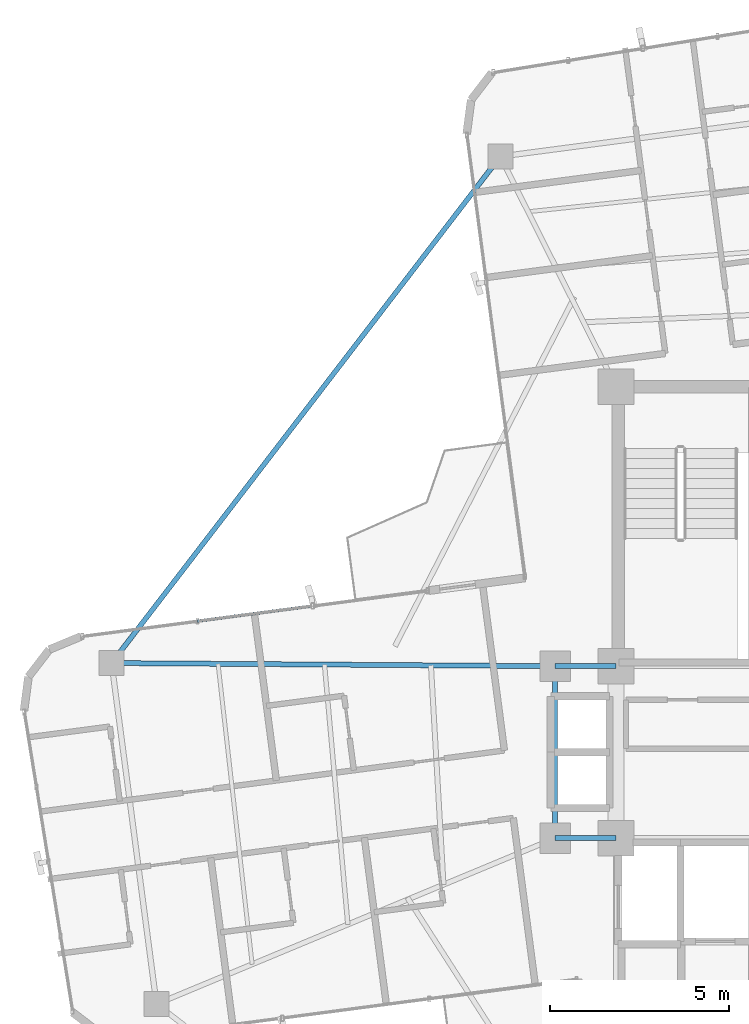
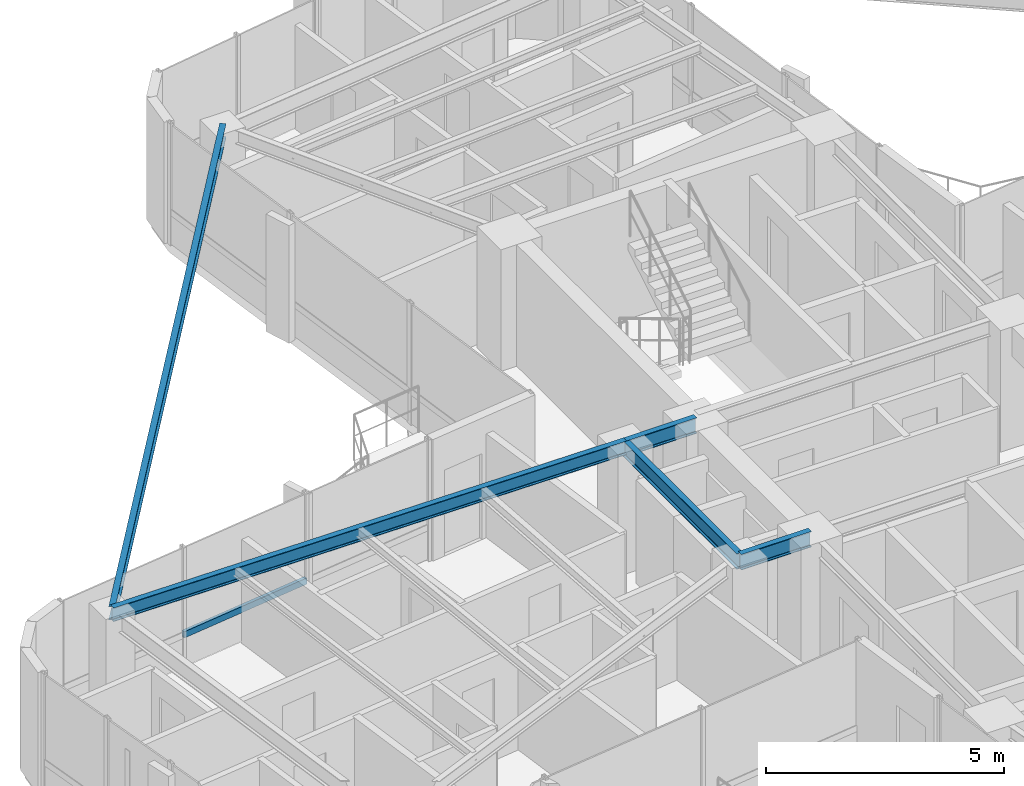
# One storey, part 7 of 22: 5 beams, 1 member, 1 element without a shape of its own.
"""IFC4 building model written with IfcOpenShell, lengths in metres."""

from ifc_helpers import new_model, si_unit, direction, frame, origin, origin_2d, place, context, subcontext, project, spatial, hollow_rectangle, i_section, extrude, source, transform, mapped, material, material_profile, profile_set, type_object, element, aggregate, save


model = new_model("IFC4")

# Units and contexts
model_context = context("Model", 3, precision=1e-05, world=origin(), true_north=direction((0.0, 1.0)))
body_context = subcontext(model_context, "Body", "Model", "MODEL_VIEW")
ifc_project = project(units=[si_unit("LENGTHUNIT", "METRE"), si_unit("AREAUNIT", "SQUARE_METRE"), si_unit("VOLUMEUNIT", "CUBIC_METRE"), si_unit("PLANEANGLEUNIT", "RADIAN"), si_unit("MASSUNIT", "GRAM", prefix="KILO")], contexts=[model_context])

# Site, building, storey
site_placement = place(None, origin())
site = spatial("IfcSite", under=ifc_project, at=site_placement, CompositionType="ELEMENT")
building_placement = place(site_placement, origin())
building = spatial("IfcBuilding", under=site, at=building_placement, Name="Sahyath Konkavel Grand Hotel", CompositionType="ELEMENT")
storey_placement = place(building_placement, frame((0.0, 0.0, 206.5)))
storey = spatial("IfcBuildingStorey", under=building, at=storey_placement, Name="L57", CompositionType="ELEMENT", Elevation=206.5)

# Beams
ifc_material_1 = material(Name="Steel E350", Category="steel")
ifc_material_profile_1 = material_profile(ifc_material_1, i_section(OverallWidth=0.139892578125, OverallDepth=0.39990234375, WebThickness=0.0087890625, FlangeThickness=0.01611328125, FilletRadius=0.013916015625, at=origin_2d()), Name="ISMB 400")
ifc_profile_set_1 = profile_set([ifc_material_profile_1], Name="Steel E350")
beam_type_1 = type_object("IfcBeamType", Name="BM-ISMB400", PredefinedType="BEAM", material=ifc_profile_set_1)
shared_shape_1 = source(origin(), body_context, "Body", "SweptSolid", [
    extrude(i_section(OverallWidth=0.139892578125, OverallDepth=0.39990234375, WebThickness=0.0087890625, FlangeThickness=0.01611328125, FilletRadius=0.013916015625, at=origin_2d()), origin(), (0.0, 0.0, 1.0), 1.699951171875),
])
for number, where, z_axis, x_axis, name in (
    (1, (-5.5, 2.39990234375, 2.909912109375), (1.0, 0.0, 0.0), (0.0, 1.0, 0.0), "str:bm:L57:HB-NW"),
    (2, (-5.5, -2.39990234375, 2.909912109375), (1.0, 0.0, 0.0), (0.0, 1.0, 0.0), "str:bm:L57:HB-SW"),
):
    element("IfcBeam", number, at=place(storey_placement, frame(where, z_axis=z_axis, x_axis=x_axis)), inside=storey, type_object=beam_type_1, Name=name, PredefinedType="BEAM", context=body_context, shape_type="MappedRepresentation", body=[
        mapped(shared_shape_1, transform((0.0, 0.0, 0.0), scale=1.0)),
    ])
shared_shape_2 = source(origin(), body_context, "Body", "SweptSolid", [
    extrude(i_section(OverallWidth=0.139892578125, OverallDepth=0.39990234375, WebThickness=0.0087890625, FlangeThickness=0.01611328125, FilletRadius=0.013916015625, at=origin_2d()), origin(), (0.0, 0.0, 1.0), 4.7998046875),
])
beam_1_placement = place(storey_placement, frame((-5.5, -2.39990234375, 2.909912109375), z_axis=(0.0, 1.0, 0.0), x_axis=(-1.0, 0.0, 0.0)))
element("IfcBeam", 3, at=beam_1_placement, inside=storey, type_object=beam_type_1, Name="str:bm:L57:HB-W", PredefinedType="BEAM", context=body_context, shape_type="MappedRepresentation", body=[
    mapped(shared_shape_2, transform((0.0, 0.0, 0.0), scale=1.0)),
])
ifc_material_profile_2 = material_profile(ifc_material_1, i_section(OverallWidth=0.139892578125, OverallDepth=0.35009765625, WebThickness=0.008056640625, FlangeThickness=0.01416015625, FilletRadius=0.013916015625, at=origin_2d()), Name="ISMB 350")
ifc_profile_set_2 = profile_set([ifc_material_profile_2], Name="Steel E350")
beam_type_2 = type_object("IfcBeamType", Name="BM-ISMB350", PredefinedType="BEAM", material=ifc_profile_set_2)
shared_shape_3 = source(origin(), body_context, "Body", "SweptSolid", [
    extrude(i_section(OverallWidth=0.139892578125, OverallDepth=0.35009765625, WebThickness=0.008056640625, FlangeThickness=0.01416015625, FilletRadius=0.013916015625, at=origin_2d()), origin(), (0.0, 0.0, 1.0), 12.3779296875),
])
beam_2_placement = place(storey_placement, frame((-5.5, 2.39990234375, 2.93505859375), z_axis=(-0.999974790757, 0.007100552766, 0.0), x_axis=(-0.007100552766, -0.999974790757, 0.0)))
element("IfcBeam", 4, at=beam_2_placement, inside=storey, type_object=beam_type_2, Name="L57 Cruciform Radial Girder WA", PredefinedType="BEAM", context=body_context, shape_type="MappedRepresentation", body=[
    mapped(shared_shape_3, transform((0.0, 0.0, 0.0), scale=1.0)),
])
shared_shape_4 = source(origin(), body_context, "Body", "SweptSolid", [
    extrude(i_section(OverallWidth=0.139892578125, OverallDepth=0.35009765625, WebThickness=0.008056640625, FlangeThickness=0.01416015625, FilletRadius=0.013916015625, at=origin_2d()), origin(), (0.0, 0.0, 1.0), 17.819091796875),
])
beam_3_placement = place(storey_placement, frame((-7.030029296875, 16.62451171875, 2.93505859375), z_axis=(-0.608767449027, -0.793348720932, 0.0), x_axis=(0.793348720932, -0.608767449027, 0.0)))
element("IfcBeam", 5, at=beam_3_placement, inside=storey, type_object=beam_type_2, Name="L57 Re-Entrant Tie Beam NW", PredefinedType="BEAM", context=body_context, shape_type="MappedRepresentation", body=[
    mapped(shared_shape_4, transform((0.0, 0.0, 0.0), scale=1.0)),
])

# Curtain wall, member
ifc_material_2 = material(Name="Anodised Bronze Aluminium & Low-E Glazing", Category="aluminium")
curtain_wall_type = type_object("IfcCurtainWallType", Name="CW-ZONE4", PredefinedType="NOTDEFINED", material=ifc_material_2)
curtain_wall_placement = place(storey_placement, origin())
curtain_wall = element("IfcCurtainWall", 6, at=curtain_wall_placement, inside=storey, type_object=curtain_wall_type, Name="L57 Unitised Curtain Wall F16", PredefinedType="NOTDEFINED")
ifc_material_3 = material(Name="Anodised Bronze Aluminium", Category="aluminium")
ifc_material_profile_3 = material_profile(ifc_material_3, hollow_rectangle(XDim=0.080078125, YDim=0.159912109375, WallThickness=0.006103515625, at=origin_2d()), Name="RHS 160x80x6")
ifc_profile_set_3 = profile_set([ifc_material_profile_3], Name="Anodised Bronze Aluminium")
member_type = type_object("IfcMemberType", Name="CW-TRN-160", PredefinedType="USERDEFINED", material=ifc_profile_set_3)
shared_shape_5 = source(origin(), body_context, "Body", "SweptSolid", [
    extrude(hollow_rectangle(XDim=0.080078125, YDim=0.159912109375, WallThickness=0.006103515625, at=origin_2d()), origin(), (0.0, 0.0, 1.0), 3.239990234375),
])
member_placement = place(storey_placement, frame((-12.26806640625, 4.083740234375, 0.85009765625), z_axis=(-0.991436589187, -0.130589010341, 0.0), x_axis=(0.130589010341, -0.991436589187, 0.0)))
member = element("IfcMember", 7, at=member_placement, type_object=member_type, Name="L57 Curtain Wall Transom F16-1-spandrel", ObjectType="TRANSOM", PredefinedType="USERDEFINED", context=body_context, shape_type="MappedRepresentation", body=[
    mapped(shared_shape_5, transform((0.0, 0.0, 0.0), scale=1.0)),
])
aggregate(curtain_wall, [member])

save(model, "model.ifc")
